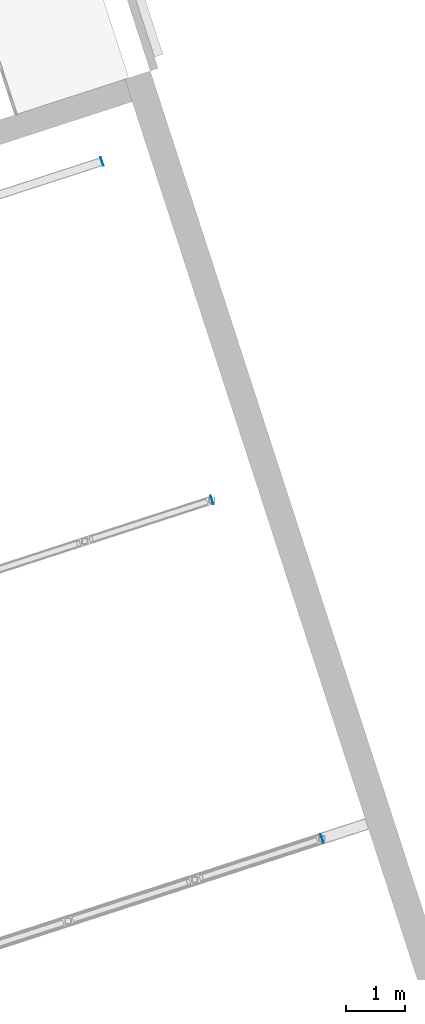
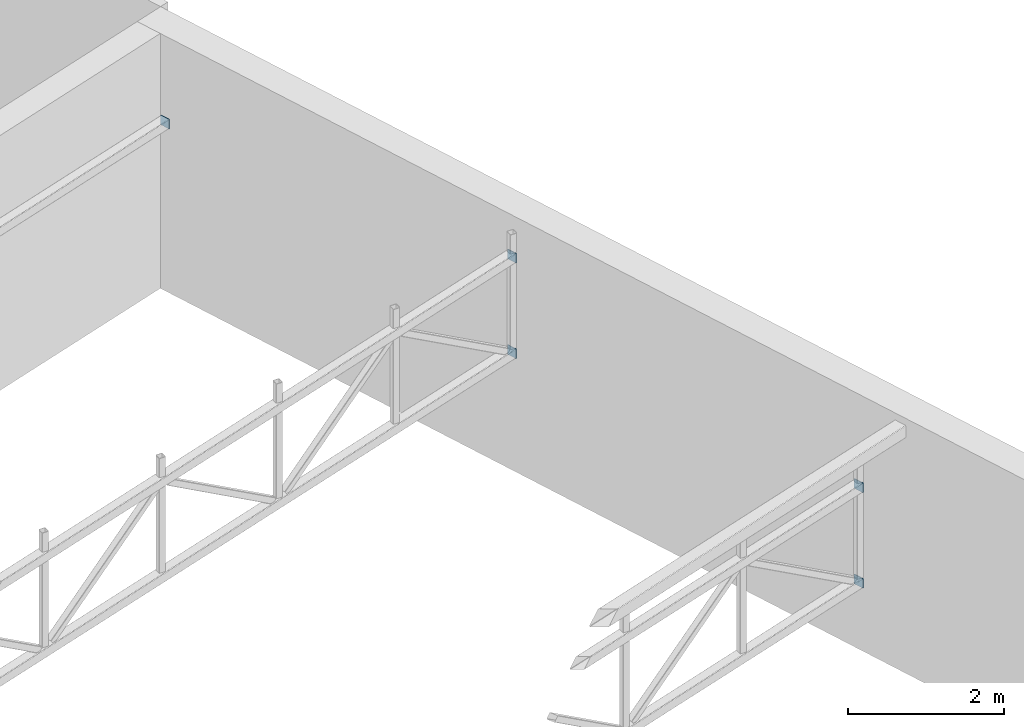
# One storey, part 70 of 81: 5 plates.
"""IFC4 building model written with IfcOpenShell, lengths in metres."""

from ifc_helpers import new_model, si_unit, direction, frame, origin, place, context, subcontext, project, spatial, polyline, outline, extrude, material, layer, layer_set, type_object, element, save


model = new_model("IFC4")

# Units and contexts
model_context = context("Model", 3, precision=1e-05, world=origin(), true_north=direction((0.0, 1.0)))
body_context = subcontext(model_context, "Body", "Model", "MODEL_VIEW")
ifc_project = project(units=[si_unit("LENGTHUNIT", "METRE"), si_unit("AREAUNIT", "SQUARE_METRE"), si_unit("VOLUMEUNIT", "CUBIC_METRE"), si_unit("PLANEANGLEUNIT", "RADIAN"), si_unit("MASSUNIT", "GRAM", prefix="KILO")], contexts=[model_context])

# Site, building, storey
site_placement = place(None, origin())
site = spatial("IfcSite", under=ifc_project, at=site_placement, CompositionType="ELEMENT")
building_placement = place(site_placement, origin())
building = spatial("IfcBuilding", under=site, at=building_placement, Name="Tuart Plaza Theatre", CompositionType="ELEMENT")
storey_placement = place(building_placement, frame((0.0, 0.0, 17.5)))
storey = spatial("IfcBuildingStorey", under=building, at=storey_placement, Name="L04", CompositionType="ELEMENT", Elevation=17.5)

# Plates
ifc_material = material(Name="Steel Grade C350L0", Category="steel")
ifc_layer = layer(ifc_material, 0.010009765625)
ifc_layer_set = layer_set([ifc_layer], Name="PLATE End cap 10 Steel Grade C350L0")
plate_type = type_object("IfcPlateType", Name="PLATE End cap 10 Steel Grade C350L0", PredefinedType="SHEET", material=ifc_layer_set)
for number, where, z_axis, x_axis, name in (
    (1, (72.003173828125, 64.84228515625, 1.74169921875), (0.951093789288, 0.30890225635, 0.0), (-0.30890225635, 0.951093789288, 0.0), "EP38"),
    (2, (72.003173828125, 64.84228515625, 3.24169921875), (0.951093789288, 0.30890225635, 0.0), (-0.30890225635, 0.951093789288, 0.0), "EP40"),
):
    element("IfcPlate", number, at=place(storey_placement, frame(where, z_axis=z_axis, x_axis=x_axis)), inside=storey, type_object=plate_type, Name=name, PredefinedType="SHEET", context=body_context, shape_type="SweptSolid", body=[
        extrude(outline(polyline([(0.0, 0.0), (0.15016633189450176, 0.0), (0.15016633189450176, 0.14990234375), (0.0, 0.14990234375), (0.0, 0.0)])), origin(), (0.0, 0.0, -1.0), 0.010009765625),
    ])
for number, where, z_axis, x_axis, name in (
    (3, (70.149169921875, 70.548583984375, 2.53369140625), (0.951093789288, 0.30890225635, 0.0), (-0.30890225635, 0.951093789288, 0.0), "EP42"),
    (4, (70.149169921875, 70.548583984375, 4.03369140625), (0.951093789288, 0.30890225635, 0.0), (-0.30890225635, 0.951093789288, 0.0), "EP44"),
):
    element("IfcPlate", number, at=place(storey_placement, frame(where, z_axis=z_axis, x_axis=x_axis)), inside=storey, type_object=plate_type, Name=name, PredefinedType="SHEET", context=body_context, shape_type="SweptSolid", body=[
        extrude(outline(polyline([(0.0, 0.0), (0.15016633189450176, 0.0), (0.15016633189450176, 0.150146484375), (0.0, 0.150146484375), (0.0, 0.0)])), origin(), (0.0, 0.0, -1.0), 0.010009765625),
    ])
plate_placement = place(storey_placement, frame((68.294921875, 76.255126953125, 3.325927734375), z_axis=(0.951416448013, 0.307907035402, 0.0), x_axis=(-0.307907035402, 0.951416448013, 0.0)))
element("IfcPlate", 5, at=plate_placement, inside=storey, type_object=plate_type, Name="EP46", PredefinedType="SHEET", context=body_context, shape_type="SweptSolid", body=[
    extrude(outline(polyline([(0.0, 0.0), (0.1498587976881483, 0.0), (0.1498587976881483, 0.14990234375), (0.0, 0.14990234375), (0.0, 0.0)])), origin(), (0.0, 0.0, -1.0), 0.010009765625),
])

save(model, "model.ifc")
